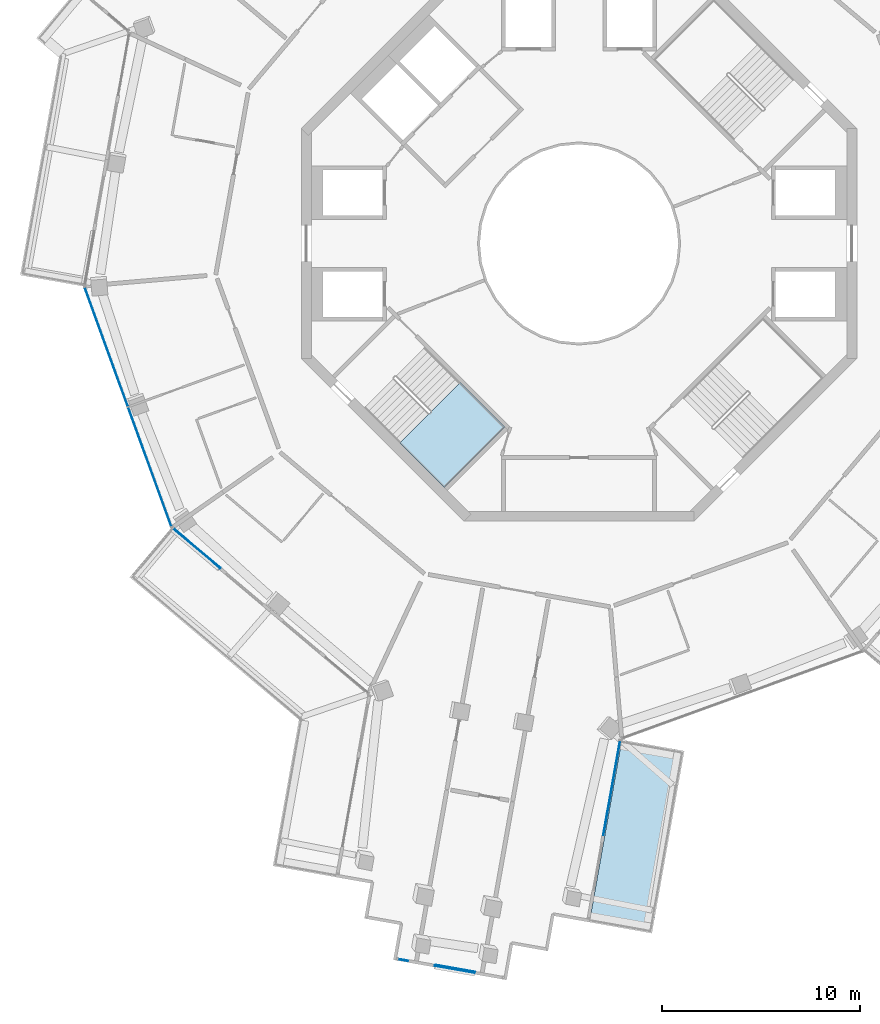
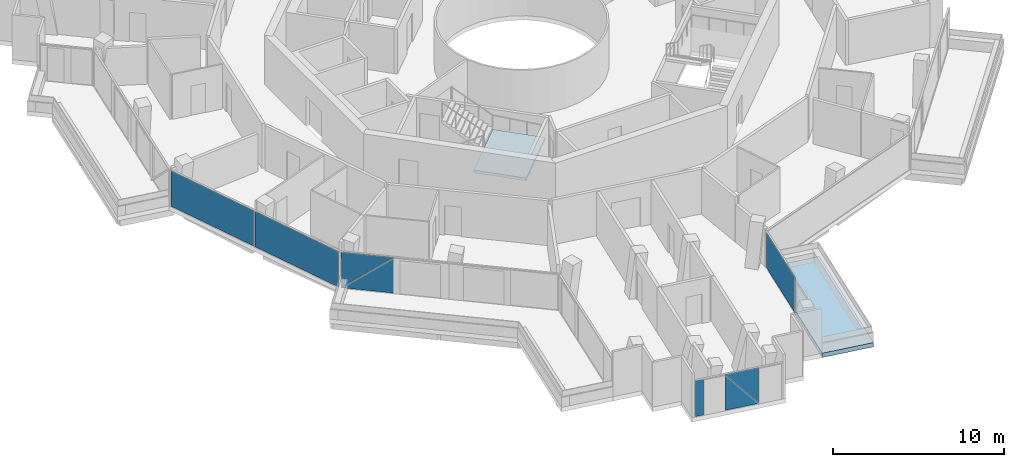
# One storey, part 10 of 22: 8 plates, 2 slabs, 5 elements without a shape of their own.
"""IFC4 building model written with IfcOpenShell, lengths in metres."""

from ifc_helpers import new_model, si_unit, direction, frame, origin, origin_2d, place, context, subcontext, project, spatial, polyline, rectangle, outline, extrude, material, layer, layer_set, type_object, element, aggregate, save


model = new_model("IFC4")

# Units and contexts
model_context = context("Model", 3, precision=1e-05, world=origin(), true_north=direction((0.0, 1.0)))
body_context = subcontext(model_context, "Body", "Model", "MODEL_VIEW")
ifc_project = project(units=[si_unit("LENGTHUNIT", "METRE"), si_unit("AREAUNIT", "SQUARE_METRE"), si_unit("VOLUMEUNIT", "CUBIC_METRE"), si_unit("PLANEANGLEUNIT", "RADIAN"), si_unit("MASSUNIT", "GRAM", prefix="KILO")], contexts=[model_context])

# Site, building, storey
site_placement = place(None, origin())
site = spatial("IfcSite", under=ifc_project, at=site_placement, CompositionType="ELEMENT")
building_placement = place(site_placement, origin())
building = spatial("IfcBuilding", under=site, at=building_placement, Name="Verdalira Terraces Hotel", CompositionType="ELEMENT")
storey_placement = place(building_placement, frame((0.0, 0.0, 237.5)))
storey = spatial("IfcBuildingStorey", under=building, at=storey_placement, Name="L58", CompositionType="ELEMENT", Elevation=237.5)

# Slab
ifc_material_1 = material(Name="Precast concrete C40/50", Category="concrete")
ifc_layer_1 = layer(ifc_material_1, 0.31005859375)
ifc_layer_set_1 = layer_set([ifc_layer_1], Name="Balcony deck 310")
slab_type_1 = type_object("IfcSlabType", Name="Balcony deck 310", PredefinedType="FLOOR", material=ifc_layer_set_1)
slab_1_placement = place(storey_placement, frame((0.0, 0.0, -0.310059)))
element("IfcSlab", 1, at=slab_1_placement, inside=storey, type_object=slab_type_1, Name="Balcony deck", PredefinedType="FLOOR", context=body_context, shape_type="SweptSolid", body=[
    extrude(outline(polyline([(5.304443, -25.581543), (2.153809, -25.021484), (0.519775, -34.213623), (3.67041, -34.773682), (5.304443, -25.581543)])), origin(), (0.0, 0.0, 1.0), 0.310059),
])

# Curtain wall, plates
ifc_material_2 = material(Name="Clear glass", Category="glass")
ifc_layer_2 = layer(ifc_material_2, 0.14990234375)
ifc_layer_set_2 = layer_set([ifc_layer_2], Name="CW1 curtain wall")
curtain_wall_type_1 = type_object("IfcCurtainWallType", Name="CW1 curtain wall", PredefinedType="NOTDEFINED", material=ifc_layer_set_2)
curtain_wall_1_placement = place(storey_placement, origin())
curtain_wall_1 = element("IfcCurtainWall", 2, at=curtain_wall_1_placement, inside=storey, type_object=curtain_wall_type_1, Name="CW1 curtain wall L58 edge 12", PredefinedType="NOTDEFINED")
ifc_material_3 = material(Name="Clear glass", Category="glass")
ifc_layer_3 = layer(ifc_material_3, 0.028076171875)
ifc_layer_set_3 = layer_set([ifc_layer_3], Name="CW1 glass unit 28")
plate_type_1 = type_object("IfcPlateType", Name="CW1 glass unit 28", PredefinedType="CURTAIN_PANEL", material=ifc_layer_set_3)
plate_1_placement = place(storey_placement, frame((-23.831787, -5.216797, 0.0), z_axis=(0.0, 0.0, 1.0), x_axis=(0.340707752, -0.940169255, 0.0)))
plate_1 = element("IfcPlate", 3, at=plate_1_placement, type_object=plate_type_1, Name="CW1 glass unit", PredefinedType="CURTAIN_PANEL", context=body_context, shape_type="SweptSolid", body=[
    extrude(rectangle(XDim=6.369873, YDim=0.028076, at=origin_2d()), origin(), (0.0, 0.0, 1.0), 2.524902),
])
plate_2_placement = place(storey_placement, frame((-21.641113, -11.261963, 0.0), z_axis=(0.0, 0.0, 1.0), x_axis=(0.340707752, -0.940169255, 0.0)))
plate_2 = element("IfcPlate", 4, at=plate_2_placement, type_object=plate_type_1, Name="CW1 glass unit", PredefinedType="CURTAIN_PANEL", context=body_context, shape_type="SweptSolid", body=[
    extrude(rectangle(XDim=6.369873, YDim=0.028076, at=origin_2d()), origin(), (0.0, 0.0, 1.0), 2.524902),
])
aggregate(curtain_wall_1, [plate_1, plate_2])

curtain_wall_2_placement = place(storey_placement, origin())
curtain_wall_2 = element("IfcCurtainWall", 5, at=curtain_wall_2_placement, inside=storey, type_object=curtain_wall_type_1, Name="CW1 curtain wall L58 edge 13", PredefinedType="NOTDEFINED")
plate_3_placement = place(storey_placement, frame((-19.272461, -15.370361, 1.262451), z_axis=(-0.643856583, -0.765146196, 0.0), x_axis=(0.765146196, -0.643856583, 0.0)))
plate_3 = element("IfcPlate", 6, at=plate_3_placement, type_object=plate_type_1, Name="CW1 glass unit", PredefinedType="CURTAIN_PANEL", context=body_context, shape_type="SweptSolid", body=[
    extrude(outline(polyline([(-1.549805, -1.262451), (1.549805, -1.262451), (1.549805, 1.262451), (-1.549805, -1.262451)])), origin(), (0.0, 0.0, 1.0), 0.028076),
])
plate_4_placement = place(storey_placement, frame((-19.253662, -15.348145, 1.262451), z_axis=(-0.643856583, -0.765146196, 0.0), x_axis=(0.765146196, -0.643856583, 0.0)))
plate_4 = element("IfcPlate", 7, at=plate_4_placement, type_object=plate_type_1, Name="CW1 glass unit", PredefinedType="CURTAIN_PANEL", context=body_context, shape_type="SweptSolid", body=[
    extrude(outline(polyline([(-1.549805, -1.262451), (1.549805, 1.262451), (-1.549805, 1.262451), (-1.549805, -1.262451)])), origin(), (0.0, 0.0, 1.0), 0.028076),
])
aggregate(curtain_wall_2, [plate_3, plate_4])

# Curtain wall, plate
ifc_material_4 = material(Name="Clear glass", Category="glass")
ifc_layer_4 = layer(ifc_material_4, 0.14990234375)
ifc_layer_set_4 = layer_set([ifc_layer_4], Name="CW2 curtain wall")
curtain_wall_type_2 = type_object("IfcCurtainWallType", Name="CW2 curtain wall", PredefinedType="NOTDEFINED", material=ifc_layer_set_4)
curtain_wall_3_placement = place(storey_placement, origin())
curtain_wall_3 = element("IfcCurtainWall", 8, at=curtain_wall_3_placement, inside=storey, type_object=curtain_wall_type_2, Name="CW2 curtain wall L58 edge 24", PredefinedType="NOTDEFINED")
ifc_material_5 = material(Name="Clear glass", Category="glass")
ifc_layer_5 = layer(ifc_material_5, 0.031982421875)
ifc_layer_set_5 = layer_set([ifc_layer_5], Name="CW2 glass unit 32")
plate_type_2 = type_object("IfcPlateType", Name="CW2 glass unit 32", PredefinedType="CURTAIN_PANEL", material=ifc_layer_set_5)
plate_5_placement = place(storey_placement, frame((1.644531, -27.458252, 0.0), z_axis=(0.0, 0.0, 1.0), x_axis=(0.175023059, 0.984564335, 0.0)))
plate_5 = element("IfcPlate", 9, at=plate_5_placement, type_object=plate_type_2, Name="CW2 glass unit", PredefinedType="CURTAIN_PANEL", context=body_context, shape_type="SweptSolid", body=[
    extrude(rectangle(XDim=4.836182, YDim=0.031982, at=origin_2d()), origin(), (0.0, 0.0, 1.0), 2.524902),
])
aggregate(curtain_wall_3, [plate_5])

# Curtain wall, plates
ifc_material_6 = material(Name="Clear glass", Category="glass")
ifc_layer_6 = layer(ifc_material_6, 0.14990234375)
ifc_layer_set_6 = layer_set([ifc_layer_6], Name="CW3 curtain wall")
curtain_wall_type_3 = type_object("IfcCurtainWallType", Name="CW3 curtain wall", PredefinedType="NOTDEFINED", material=ifc_layer_set_6)
curtain_wall_4_placement = place(storey_placement, origin())
curtain_wall_4 = element("IfcCurtainWall", 10, at=curtain_wall_4_placement, inside=storey, type_object=curtain_wall_type_3, Name="CW3 curtain wall L58 edge 19", PredefinedType="NOTDEFINED")
ifc_material_7 = material(Name="Clear glass", Category="glass")
ifc_layer_7 = layer(ifc_material_7, 0.035888671875)
ifc_layer_set_7 = layer_set([ifc_layer_7], Name="CW3 glass unit 36")
plate_type_3 = type_object("IfcPlateType", Name="CW3 glass unit 36", PredefinedType="CURTAIN_PANEL", material=ifc_layer_set_7)
plate_6_placement = place(storey_placement, frame((-8.874512, -36.124023, 0.0), z_axis=(0.0, 0.0, 1.0), x_axis=(0.984564335, -0.175023059, 0.0)))
plate_6 = element("IfcPlate", 11, at=plate_6_placement, type_object=plate_type_3, Name="CW3 glass unit", PredefinedType="CURTAIN_PANEL", context=body_context, shape_type="SweptSolid", body=[
    extrude(rectangle(XDim=0.51001, YDim=0.035889, at=origin_2d()), origin(), (0.0, 0.0, 1.0), 2.524902),
])
plate_7_placement = place(storey_placement, frame((-6.267578, -36.569336, 1.262451), z_axis=(-0.175023059, -0.984564335, 0.0), x_axis=(0.984564335, -0.175023059, 0.0)))
plate_7 = element("IfcPlate", 12, at=plate_7_placement, type_object=plate_type_3, Name="CW3 glass unit", PredefinedType="CURTAIN_PANEL", context=body_context, shape_type="SweptSolid", body=[
    extrude(outline(polyline([(-1.030518, -1.262451), (1.030518, -1.262451), (-1.030518, 1.262451), (-1.030518, -1.262451)])), origin(), (0.0, 0.0, 1.0), 0.035889),
])
plate_8_placement = place(storey_placement, frame((-6.26123, -36.532715, 1.262451), z_axis=(-0.175023059, -0.984564335, 0.0), x_axis=(0.984564335, -0.175023059, 0.0)))
plate_8 = element("IfcPlate", 13, at=plate_8_placement, type_object=plate_type_3, Name="CW3 glass unit", PredefinedType="CURTAIN_PANEL", context=body_context, shape_type="SweptSolid", body=[
    extrude(outline(polyline([(1.030518, -1.262451), (1.030518, 1.262451), (-1.030518, 1.262451), (1.030518, -1.262451)])), origin(), (0.0, 0.0, 1.0), 0.035889),
])
aggregate(curtain_wall_4, [plate_6, plate_7, plate_8])

# Stair, slab
ifc_material_8 = material(Name="Concrete C40", Category="concrete")
stair_type = type_object("IfcStairType", Name="Core stair 20 risers 2100 mm wide", PredefinedType="HALF_TURN_STAIR", material=ifc_material_8)
stair_placement = place(storey_placement, origin())
stair = element("IfcStair", 14, at=stair_placement, inside=storey, type_object=stair_type, Name="L58 Exit stair ST2", PredefinedType="HALF_TURN_STAIR")
ifc_material_9 = material(Name="Concrete C40", Category="concrete")
ifc_layer_8 = layer(ifc_material_9, 0.199951171875)
ifc_layer_set_8 = layer_set([ifc_layer_8], Name="Core stair landing 200 mm")
slab_type_2 = type_object("IfcSlabType", Name="Core stair landing 200 mm", PredefinedType="LANDING", material=ifc_layer_set_8)
slab_2_placement = place(storey_placement, frame((0.0, 0.0, 1.550049)))
slab_2 = element("IfcSlab", 15, at=slab_2_placement, type_object=slab_type_2, Name="ST2 landing 1", PredefinedType="LANDING", context=body_context, shape_type="SweptSolid", body=[
    extrude(outline(polyline([(-9.037109, -10.054688), (-6.78833, -12.303711), (-3.747559, -9.263184), (-5.996582, -7.01416), (-9.037109, -10.054688)])), origin(), (0.0, 0.0, 1.0), 0.199951),
])
aggregate(stair, [slab_2])

save(model, "model.ifc")
